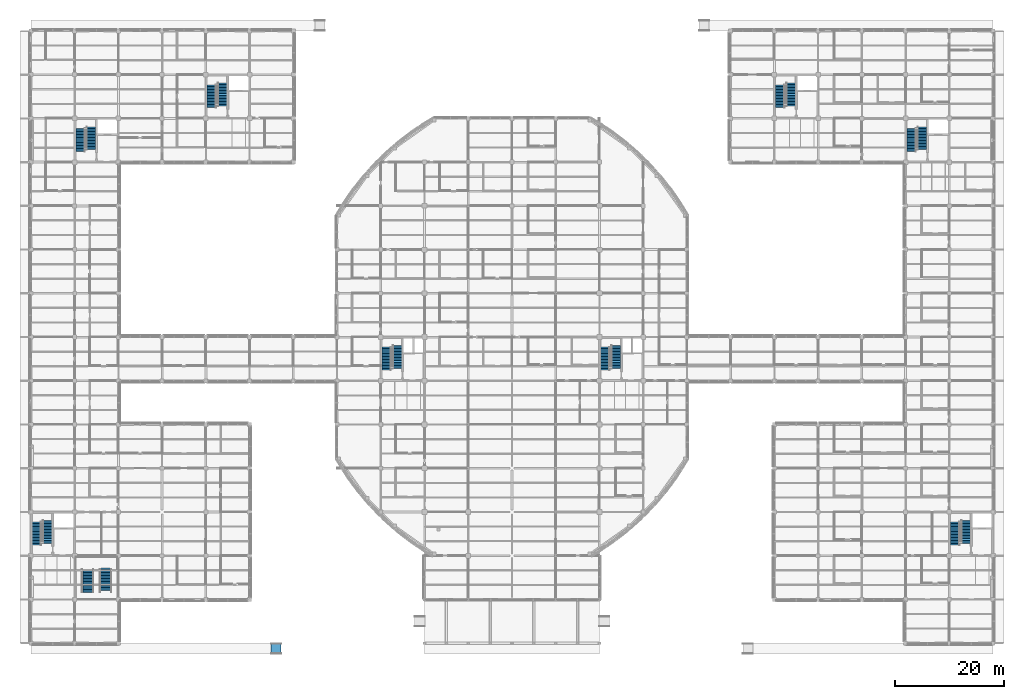
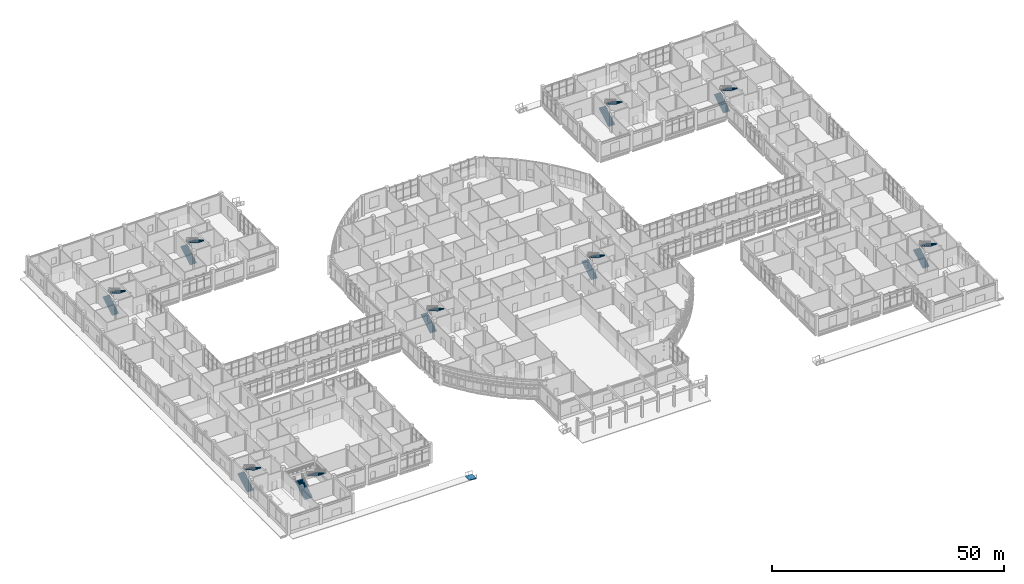
# One storey, part 82 of 105: 18 stair flights, 1 ramp flight, 10 elements without a shape of their own.
"""IFC4 building model written with IfcOpenShell, lengths in metres."""

from ifc_helpers import new_model, si_unit, derived_unit, direction, frame, origin, place, context, subcontext, project, spatial, polyline, outline, extrude, material, layer, layer_set, type_object, element, aggregate, save


model = new_model("IFC4")

# Units and contexts
model_context = context("Model", 3, precision=1e-05, world=origin(), true_north=direction((0.0, 1.0)))
body_context = subcontext(model_context, "Body", "Model", "MODEL_VIEW")
ifc_project = project(units=[si_unit("LENGTHUNIT", "METRE"), si_unit("AREAUNIT", "SQUARE_METRE"), si_unit("VOLUMEUNIT", "CUBIC_METRE"), si_unit("PLANEANGLEUNIT", "RADIAN"), si_unit("MASSUNIT", "GRAM", prefix="KILO"), derived_unit("THERMALTRANSMITTANCEUNIT", [(si_unit("MASSUNIT", "GRAM", prefix="KILO"), 1), (si_unit("TIMEUNIT", "SECOND"), -3), (si_unit("THERMODYNAMICTEMPERATUREUNIT", "KELVIN"), -1)])], contexts=[model_context])

# Site, building, storey
site_placement = place(None, origin())
site = spatial("IfcSite", under=ifc_project, at=site_placement, CompositionType="ELEMENT")
building_placement = place(site_placement, origin())
building = spatial("IfcBuilding", under=site, at=building_placement, Name="Veyamyaing Civic Hall", CompositionType="ELEMENT")
storey_placement = place(building_placement, origin())
storey = spatial("IfcBuildingStorey", under=building, at=storey_placement, Name="L00", CompositionType="ELEMENT", Elevation=0.0)

# Stair, stair flights
ifc_material = material(Name="Concrete C40/50", Category="concrete")
stair_type_1 = type_object("IfcStairType", Name="ST-B", PredefinedType="HALF_TURN_STAIR", material=ifc_material)
stair_1_placement = place(storey_placement, origin())
stair_1 = element("IfcStair", 1, at=stair_1_placement, inside=storey, type_object=stair_type_1, Name="Protected exit stair ST-01 L00", PredefinedType="HALF_TURN_STAIR")
stair_flight_type_1 = type_object("IfcStairFlightType", Name="SF-16", PredefinedType="STRAIGHT", material=ifc_material)
stair_flight_1_placement = place(storey_placement, frame((9.0400390625, 89.949951171875, 0.0), z_axis=(0.0, 0.0, 1.0), x_axis=(0.0, 1.0, 0.0)))
stair_flight_1 = element("IfcStairFlight", 2, at=stair_flight_1_placement, type_object=stair_flight_type_1, Name="ST-01 flight 1", NumberOfRisers=16, NumberOfTreads=15, PredefinedType="STRAIGHT", RiserHeight=0.165, TreadLength=0.28, context=body_context, shape_type="SweptSolid", body=[
    extrude(outline(polyline([(0.0, 0.0), (0.0, 0.1650390625), (0.280029296875, 0.1650390625), (0.280029296875, 0.330078125), (0.56005859375, 0.330078125), (0.56005859375, 0.4951171875), (0.840087890625, 0.4951171875), (0.840087890625, 0.659912109375), (1.1201171875, 0.659912109375), (1.1201171875, 0.824951171875), (1.39990234375, 0.824951171875), (1.39990234375, 0.989990234375), (1.679931640625, 0.989990234375), (1.679931640625, 1.155029296875), (1.9599609375, 1.155029296875), (1.9599609375, 1.320068359375), (2.239990234375, 1.320068359375), (2.239990234375, 1.485107421875), (2.52001953125, 1.485107421875), (2.52001953125, 1.64990234375), (2.800048828125, 1.64990234375), (2.800048828125, 1.81494140625), (3.080078125, 1.81494140625), (3.080078125, 1.97998046875), (3.360107421875, 1.97998046875), (3.360107421875, 2.14501953125), (3.639892578125, 2.14501953125), (3.639892578125, 2.31005859375), (3.919921875, 2.31005859375), (3.919921875, 2.47509765625), (4.199951171875, 2.47509765625), (4.199951171875, 2.639892578125), (4.199951171875, 2.301025390625), (0.295166015625, 0.0), (0.0, 0.0)])), frame((0.0, 0.81982421875, 0.0), z_axis=(0.0, -1.0, 0.0), x_axis=(1.0, 0.0, 0.0)), (0.0, 0.0, 1.0), 1.639892578125),
])
stair_flight_2_placement = place(storey_placement, frame((11.030029296875, 94.469970703125, 2.639892578125), z_axis=(0.0, 0.0, 1.0), x_axis=(0.0, -1.0, 0.0)))
stair_flight_2 = element("IfcStairFlight", 3, at=stair_flight_2_placement, type_object=stair_flight_type_1, Name="ST-01 flight 2", NumberOfRisers=16, NumberOfTreads=15, PredefinedType="STRAIGHT", RiserHeight=0.165, TreadLength=0.28, context=body_context, shape_type="SweptSolid", body=[
    extrude(outline(polyline([(0.0, 0.0), (0.0, 0.1650390625), (0.280029296875, 0.1650390625), (0.280029296875, 0.330078125), (0.56005859375, 0.330078125), (0.56005859375, 0.4951171875), (0.840087890625, 0.4951171875), (0.840087890625, 0.659912109375), (1.1201171875, 0.659912109375), (1.1201171875, 0.824951171875), (1.39990234375, 0.824951171875), (1.39990234375, 0.989990234375), (1.679931640625, 0.989990234375), (1.679931640625, 1.155029296875), (1.9599609375, 1.155029296875), (1.9599609375, 1.320068359375), (2.239990234375, 1.320068359375), (2.239990234375, 1.485107421875), (2.52001953125, 1.485107421875), (2.52001953125, 1.64990234375), (2.800048828125, 1.64990234375), (2.800048828125, 1.81494140625), (3.080078125, 1.81494140625), (3.080078125, 1.97998046875), (3.360107421875, 1.97998046875), (3.360107421875, 2.14501953125), (3.639892578125, 2.14501953125), (3.639892578125, 2.31005859375), (3.919921875, 2.31005859375), (3.919921875, 2.47509765625), (4.199951171875, 2.47509765625), (4.199951171875, 2.639892578125), (4.199951171875, 2.301025390625), (0.295166015625, 0.0), (0.0, 0.0)])), frame((0.0, 0.81982421875, 0.0), z_axis=(0.0, -1.0, 0.0), x_axis=(1.0, 0.0, 0.0)), (0.0, 0.0, 1.0), 1.639892578125),
])
aggregate(stair_1, [stair_flight_1, stair_flight_2])

stair_2_placement = place(storey_placement, origin())
stair_2 = element("IfcStair", 4, at=stair_2_placement, inside=storey, type_object=stair_type_1, Name="Protected exit stair ST-02 L00", PredefinedType="HALF_TURN_STAIR")
stair_flight_3_placement = place(storey_placement, frame((33.0400390625, 97.949951171875, 0.0), z_axis=(0.0, 0.0, 1.0), x_axis=(0.0, 1.0, 0.0)))
stair_flight_3 = element("IfcStairFlight", 5, at=stair_flight_3_placement, type_object=stair_flight_type_1, Name="ST-02 flight 1", NumberOfRisers=16, NumberOfTreads=15, PredefinedType="STRAIGHT", RiserHeight=0.165, TreadLength=0.28, context=body_context, shape_type="SweptSolid", body=[
    extrude(outline(polyline([(0.0, 0.0), (0.0, 0.1650390625), (0.280029296875, 0.1650390625), (0.280029296875, 0.330078125), (0.56005859375, 0.330078125), (0.56005859375, 0.4951171875), (0.840087890625, 0.4951171875), (0.840087890625, 0.659912109375), (1.1201171875, 0.659912109375), (1.1201171875, 0.824951171875), (1.39990234375, 0.824951171875), (1.39990234375, 0.989990234375), (1.679931640625, 0.989990234375), (1.679931640625, 1.155029296875), (1.9599609375, 1.155029296875), (1.9599609375, 1.320068359375), (2.239990234375, 1.320068359375), (2.239990234375, 1.485107421875), (2.52001953125, 1.485107421875), (2.52001953125, 1.64990234375), (2.800048828125, 1.64990234375), (2.800048828125, 1.81494140625), (3.080078125, 1.81494140625), (3.080078125, 1.97998046875), (3.360107421875, 1.97998046875), (3.360107421875, 2.14501953125), (3.639892578125, 2.14501953125), (3.639892578125, 2.31005859375), (3.919921875, 2.31005859375), (3.919921875, 2.47509765625), (4.199951171875, 2.47509765625), (4.199951171875, 2.639892578125), (4.199951171875, 2.301025390625), (0.295166015625, 0.0), (0.0, 0.0)])), frame((0.0, 0.81982421875, 0.0), z_axis=(0.0, -1.0, 0.0), x_axis=(1.0, 0.0, 0.0)), (0.0, 0.0, 1.0), 1.639892578125),
])
stair_flight_4_placement = place(storey_placement, frame((35.030029296875, 102.469970703125, 2.639892578125), z_axis=(0.0, 0.0, 1.0), x_axis=(0.0, -1.0, 0.0)))
stair_flight_4 = element("IfcStairFlight", 6, at=stair_flight_4_placement, type_object=stair_flight_type_1, Name="ST-02 flight 2", NumberOfRisers=16, NumberOfTreads=15, PredefinedType="STRAIGHT", RiserHeight=0.165, TreadLength=0.28, context=body_context, shape_type="SweptSolid", body=[
    extrude(outline(polyline([(0.0, 0.0), (0.0, 0.1650390625), (0.280029296875, 0.1650390625), (0.280029296875, 0.330078125), (0.56005859375, 0.330078125), (0.56005859375, 0.4951171875), (0.840087890625, 0.4951171875), (0.840087890625, 0.659912109375), (1.1201171875, 0.659912109375), (1.1201171875, 0.824951171875), (1.39990234375, 0.824951171875), (1.39990234375, 0.989990234375), (1.679931640625, 0.989990234375), (1.679931640625, 1.155029296875), (1.9599609375, 1.155029296875), (1.9599609375, 1.320068359375), (2.239990234375, 1.320068359375), (2.239990234375, 1.485107421875), (2.52001953125, 1.485107421875), (2.52001953125, 1.64990234375), (2.800048828125, 1.64990234375), (2.800048828125, 1.81494140625), (3.080078125, 1.81494140625), (3.080078125, 1.97998046875), (3.360107421875, 1.97998046875), (3.360107421875, 2.14501953125), (3.639892578125, 2.14501953125), (3.639892578125, 2.31005859375), (3.919921875, 2.31005859375), (3.919921875, 2.47509765625), (4.199951171875, 2.47509765625), (4.199951171875, 2.639892578125), (4.199951171875, 2.301025390625), (0.295166015625, 0.0), (0.0, 0.0)])), frame((0.0, 0.81982421875, 0.0), z_axis=(0.0, -1.0, 0.0), x_axis=(1.0, 0.0, 0.0)), (0.0, 0.0, 1.0), 1.639892578125),
])
aggregate(stair_2, [stair_flight_3, stair_flight_4])

stair_3_placement = place(storey_placement, origin())
stair_3 = element("IfcStair", 7, at=stair_3_placement, inside=storey, type_object=stair_type_1, Name="Protected exit stair ST-03 L00", PredefinedType="HALF_TURN_STAIR")
stair_flight_5_placement = place(storey_placement, frame((161.0400390625, 89.949951171875, 0.0), z_axis=(0.0, 0.0, 1.0), x_axis=(0.0, 1.0, 0.0)))
stair_flight_5 = element("IfcStairFlight", 8, at=stair_flight_5_placement, type_object=stair_flight_type_1, Name="ST-03 flight 1", NumberOfRisers=16, NumberOfTreads=15, PredefinedType="STRAIGHT", RiserHeight=0.165, TreadLength=0.28, context=body_context, shape_type="SweptSolid", body=[
    extrude(outline(polyline([(0.0, 0.0), (0.0, 0.1650390625), (0.280029296875, 0.1650390625), (0.280029296875, 0.330078125), (0.56005859375, 0.330078125), (0.56005859375, 0.4951171875), (0.840087890625, 0.4951171875), (0.840087890625, 0.659912109375), (1.1201171875, 0.659912109375), (1.1201171875, 0.824951171875), (1.39990234375, 0.824951171875), (1.39990234375, 0.989990234375), (1.679931640625, 0.989990234375), (1.679931640625, 1.155029296875), (1.9599609375, 1.155029296875), (1.9599609375, 1.320068359375), (2.239990234375, 1.320068359375), (2.239990234375, 1.485107421875), (2.52001953125, 1.485107421875), (2.52001953125, 1.64990234375), (2.800048828125, 1.64990234375), (2.800048828125, 1.81494140625), (3.080078125, 1.81494140625), (3.080078125, 1.97998046875), (3.360107421875, 1.97998046875), (3.360107421875, 2.14501953125), (3.639892578125, 2.14501953125), (3.639892578125, 2.31005859375), (3.919921875, 2.31005859375), (3.919921875, 2.47509765625), (4.199951171875, 2.47509765625), (4.199951171875, 2.639892578125), (4.199951171875, 2.301025390625), (0.295166015625, 0.0), (0.0, 0.0)])), frame((0.0, 0.81982421875, 0.0), z_axis=(0.0, -1.0, 0.0), x_axis=(1.0, 0.0, 0.0)), (0.0, 0.0, 1.0), 1.639892578125),
])
stair_flight_6_placement = place(storey_placement, frame((163.030029296875, 94.469970703125, 2.639892578125), z_axis=(0.0, 0.0, 1.0), x_axis=(0.0, -1.0, 0.0)))
stair_flight_6 = element("IfcStairFlight", 9, at=stair_flight_6_placement, type_object=stair_flight_type_1, Name="ST-03 flight 2", NumberOfRisers=16, NumberOfTreads=15, PredefinedType="STRAIGHT", RiserHeight=0.165, TreadLength=0.28, context=body_context, shape_type="SweptSolid", body=[
    extrude(outline(polyline([(0.0, 0.0), (0.0, 0.1650390625), (0.280029296875, 0.1650390625), (0.280029296875, 0.330078125), (0.56005859375, 0.330078125), (0.56005859375, 0.4951171875), (0.840087890625, 0.4951171875), (0.840087890625, 0.659912109375), (1.1201171875, 0.659912109375), (1.1201171875, 0.824951171875), (1.39990234375, 0.824951171875), (1.39990234375, 0.989990234375), (1.679931640625, 0.989990234375), (1.679931640625, 1.155029296875), (1.9599609375, 1.155029296875), (1.9599609375, 1.320068359375), (2.239990234375, 1.320068359375), (2.239990234375, 1.485107421875), (2.52001953125, 1.485107421875), (2.52001953125, 1.64990234375), (2.800048828125, 1.64990234375), (2.800048828125, 1.81494140625), (3.080078125, 1.81494140625), (3.080078125, 1.97998046875), (3.360107421875, 1.97998046875), (3.360107421875, 2.14501953125), (3.639892578125, 2.14501953125), (3.639892578125, 2.31005859375), (3.919921875, 2.31005859375), (3.919921875, 2.47509765625), (4.199951171875, 2.47509765625), (4.199951171875, 2.639892578125), (4.199951171875, 2.301025390625), (0.295166015625, 0.0), (0.0, 0.0)])), frame((0.0, 0.81982421875, 0.0), z_axis=(0.0, -1.0, 0.0), x_axis=(1.0, 0.0, 0.0)), (0.0, 0.0, 1.0), 1.639892578125),
])
aggregate(stair_3, [stair_flight_5, stair_flight_6])

stair_4_placement = place(storey_placement, origin())
stair_4 = element("IfcStair", 10, at=stair_4_placement, inside=storey, type_object=stair_type_1, Name="Protected exit stair ST-04 L00", PredefinedType="HALF_TURN_STAIR")
stair_flight_7_placement = place(storey_placement, frame((137.0400390625, 97.949951171875, 0.0), z_axis=(0.0, 0.0, 1.0), x_axis=(0.0, 1.0, 0.0)))
stair_flight_7 = element("IfcStairFlight", 11, at=stair_flight_7_placement, type_object=stair_flight_type_1, Name="ST-04 flight 1", NumberOfRisers=16, NumberOfTreads=15, PredefinedType="STRAIGHT", RiserHeight=0.165, TreadLength=0.28, context=body_context, shape_type="SweptSolid", body=[
    extrude(outline(polyline([(0.0, 0.0), (0.0, 0.1650390625), (0.280029296875, 0.1650390625), (0.280029296875, 0.330078125), (0.56005859375, 0.330078125), (0.56005859375, 0.4951171875), (0.840087890625, 0.4951171875), (0.840087890625, 0.659912109375), (1.1201171875, 0.659912109375), (1.1201171875, 0.824951171875), (1.39990234375, 0.824951171875), (1.39990234375, 0.989990234375), (1.679931640625, 0.989990234375), (1.679931640625, 1.155029296875), (1.9599609375, 1.155029296875), (1.9599609375, 1.320068359375), (2.239990234375, 1.320068359375), (2.239990234375, 1.485107421875), (2.52001953125, 1.485107421875), (2.52001953125, 1.64990234375), (2.800048828125, 1.64990234375), (2.800048828125, 1.81494140625), (3.080078125, 1.81494140625), (3.080078125, 1.97998046875), (3.360107421875, 1.97998046875), (3.360107421875, 2.14501953125), (3.639892578125, 2.14501953125), (3.639892578125, 2.31005859375), (3.919921875, 2.31005859375), (3.919921875, 2.47509765625), (4.199951171875, 2.47509765625), (4.199951171875, 2.639892578125), (4.199951171875, 2.301025390625), (0.295166015625, 0.0), (0.0, 0.0)])), frame((0.0, 0.81982421875, 0.0), z_axis=(0.0, -1.0, 0.0), x_axis=(1.0, 0.0, 0.0)), (0.0, 0.0, 1.0), 1.639892578125),
])
stair_flight_8_placement = place(storey_placement, frame((139.030029296875, 102.469970703125, 2.639892578125), z_axis=(0.0, 0.0, 1.0), x_axis=(0.0, -1.0, 0.0)))
stair_flight_8 = element("IfcStairFlight", 12, at=stair_flight_8_placement, type_object=stair_flight_type_1, Name="ST-04 flight 2", NumberOfRisers=16, NumberOfTreads=15, PredefinedType="STRAIGHT", RiserHeight=0.165, TreadLength=0.28, context=body_context, shape_type="SweptSolid", body=[
    extrude(outline(polyline([(0.0, 0.0), (0.0, 0.1650390625), (0.280029296875, 0.1650390625), (0.280029296875, 0.330078125), (0.56005859375, 0.330078125), (0.56005859375, 0.4951171875), (0.840087890625, 0.4951171875), (0.840087890625, 0.659912109375), (1.1201171875, 0.659912109375), (1.1201171875, 0.824951171875), (1.39990234375, 0.824951171875), (1.39990234375, 0.989990234375), (1.679931640625, 0.989990234375), (1.679931640625, 1.155029296875), (1.9599609375, 1.155029296875), (1.9599609375, 1.320068359375), (2.239990234375, 1.320068359375), (2.239990234375, 1.485107421875), (2.52001953125, 1.485107421875), (2.52001953125, 1.64990234375), (2.800048828125, 1.64990234375), (2.800048828125, 1.81494140625), (3.080078125, 1.81494140625), (3.080078125, 1.97998046875), (3.360107421875, 1.97998046875), (3.360107421875, 2.14501953125), (3.639892578125, 2.14501953125), (3.639892578125, 2.31005859375), (3.919921875, 2.31005859375), (3.919921875, 2.47509765625), (4.199951171875, 2.47509765625), (4.199951171875, 2.639892578125), (4.199951171875, 2.301025390625), (0.295166015625, 0.0), (0.0, 0.0)])), frame((0.0, 0.81982421875, 0.0), z_axis=(0.0, -1.0, 0.0), x_axis=(1.0, 0.0, 0.0)), (0.0, 0.0, 1.0), 1.639892578125),
])
aggregate(stair_4, [stair_flight_7, stair_flight_8])

stair_5_placement = place(storey_placement, origin())
stair_5 = element("IfcStair", 13, at=stair_5_placement, inside=storey, type_object=stair_type_1, Name="Protected exit stair ST-05 L00", PredefinedType="HALF_TURN_STAIR")
stair_flight_9_placement = place(storey_placement, frame((65.0400390625, 49.949951171875, 0.0), z_axis=(0.0, 0.0, 1.0), x_axis=(0.0, 1.0, 0.0)))
stair_flight_9 = element("IfcStairFlight", 14, at=stair_flight_9_placement, type_object=stair_flight_type_1, Name="ST-05 flight 1", NumberOfRisers=16, NumberOfTreads=15, PredefinedType="STRAIGHT", RiserHeight=0.165, TreadLength=0.28, context=body_context, shape_type="SweptSolid", body=[
    extrude(outline(polyline([(0.0, 0.0), (0.0, 0.1650390625), (0.280029296875, 0.1650390625), (0.280029296875, 0.330078125), (0.56005859375, 0.330078125), (0.56005859375, 0.4951171875), (0.840087890625, 0.4951171875), (0.840087890625, 0.659912109375), (1.1201171875, 0.659912109375), (1.1201171875, 0.824951171875), (1.39990234375, 0.824951171875), (1.39990234375, 0.989990234375), (1.679931640625, 0.989990234375), (1.679931640625, 1.155029296875), (1.9599609375, 1.155029296875), (1.9599609375, 1.320068359375), (2.239990234375, 1.320068359375), (2.239990234375, 1.485107421875), (2.52001953125, 1.485107421875), (2.52001953125, 1.64990234375), (2.800048828125, 1.64990234375), (2.800048828125, 1.81494140625), (3.080078125, 1.81494140625), (3.080078125, 1.97998046875), (3.360107421875, 1.97998046875), (3.360107421875, 2.14501953125), (3.639892578125, 2.14501953125), (3.639892578125, 2.31005859375), (3.919921875, 2.31005859375), (3.919921875, 2.47509765625), (4.199951171875, 2.47509765625), (4.199951171875, 2.639892578125), (4.199951171875, 2.301025390625), (0.295166015625, 0.0), (0.0, 0.0)])), frame((0.0, 0.81982421875, 0.0), z_axis=(0.0, -1.0, 0.0), x_axis=(1.0, 0.0, 0.0)), (0.0, 0.0, 1.0), 1.639892578125),
])
stair_flight_10_placement = place(storey_placement, frame((67.030029296875, 54.469970703125, 2.639892578125), z_axis=(0.0, 0.0, 1.0), x_axis=(0.0, -1.0, 0.0)))
stair_flight_10 = element("IfcStairFlight", 15, at=stair_flight_10_placement, type_object=stair_flight_type_1, Name="ST-05 flight 2", NumberOfRisers=16, NumberOfTreads=15, PredefinedType="STRAIGHT", RiserHeight=0.165, TreadLength=0.28, context=body_context, shape_type="SweptSolid", body=[
    extrude(outline(polyline([(0.0, 0.0), (0.0, 0.1650390625), (0.280029296875, 0.1650390625), (0.280029296875, 0.330078125), (0.56005859375, 0.330078125), (0.56005859375, 0.4951171875), (0.840087890625, 0.4951171875), (0.840087890625, 0.659912109375), (1.1201171875, 0.659912109375), (1.1201171875, 0.824951171875), (1.39990234375, 0.824951171875), (1.39990234375, 0.989990234375), (1.679931640625, 0.989990234375), (1.679931640625, 1.155029296875), (1.9599609375, 1.155029296875), (1.9599609375, 1.320068359375), (2.239990234375, 1.320068359375), (2.239990234375, 1.485107421875), (2.52001953125, 1.485107421875), (2.52001953125, 1.64990234375), (2.800048828125, 1.64990234375), (2.800048828125, 1.81494140625), (3.080078125, 1.81494140625), (3.080078125, 1.97998046875), (3.360107421875, 1.97998046875), (3.360107421875, 2.14501953125), (3.639892578125, 2.14501953125), (3.639892578125, 2.31005859375), (3.919921875, 2.31005859375), (3.919921875, 2.47509765625), (4.199951171875, 2.47509765625), (4.199951171875, 2.639892578125), (4.199951171875, 2.301025390625), (0.295166015625, 0.0), (0.0, 0.0)])), frame((0.0, 0.81982421875, 0.0), z_axis=(0.0, -1.0, 0.0), x_axis=(1.0, 0.0, 0.0)), (0.0, 0.0, 1.0), 1.639892578125),
])
aggregate(stair_5, [stair_flight_9, stair_flight_10])

stair_6_placement = place(storey_placement, origin())
stair_6 = element("IfcStair", 16, at=stair_6_placement, inside=storey, type_object=stair_type_1, Name="Protected exit stair ST-06 L00", PredefinedType="HALF_TURN_STAIR")
stair_flight_11_placement = place(storey_placement, frame((105.0400390625, 49.949951171875, 0.0), z_axis=(0.0, 0.0, 1.0), x_axis=(0.0, 1.0, 0.0)))
stair_flight_11 = element("IfcStairFlight", 17, at=stair_flight_11_placement, type_object=stair_flight_type_1, Name="ST-06 flight 1", NumberOfRisers=16, NumberOfTreads=15, PredefinedType="STRAIGHT", RiserHeight=0.165, TreadLength=0.28, context=body_context, shape_type="SweptSolid", body=[
    extrude(outline(polyline([(0.0, 0.0), (0.0, 0.1650390625), (0.280029296875, 0.1650390625), (0.280029296875, 0.330078125), (0.56005859375, 0.330078125), (0.56005859375, 0.4951171875), (0.840087890625, 0.4951171875), (0.840087890625, 0.659912109375), (1.1201171875, 0.659912109375), (1.1201171875, 0.824951171875), (1.39990234375, 0.824951171875), (1.39990234375, 0.989990234375), (1.679931640625, 0.989990234375), (1.679931640625, 1.155029296875), (1.9599609375, 1.155029296875), (1.9599609375, 1.320068359375), (2.239990234375, 1.320068359375), (2.239990234375, 1.485107421875), (2.52001953125, 1.485107421875), (2.52001953125, 1.64990234375), (2.800048828125, 1.64990234375), (2.800048828125, 1.81494140625), (3.080078125, 1.81494140625), (3.080078125, 1.97998046875), (3.360107421875, 1.97998046875), (3.360107421875, 2.14501953125), (3.639892578125, 2.14501953125), (3.639892578125, 2.31005859375), (3.919921875, 2.31005859375), (3.919921875, 2.47509765625), (4.199951171875, 2.47509765625), (4.199951171875, 2.639892578125), (4.199951171875, 2.301025390625), (0.295166015625, 0.0), (0.0, 0.0)])), frame((0.0, 0.81982421875, 0.0), z_axis=(0.0, -1.0, 0.0), x_axis=(1.0, 0.0, 0.0)), (0.0, 0.0, 1.0), 1.639892578125),
])
stair_flight_12_placement = place(storey_placement, frame((107.030029296875, 54.469970703125, 2.639892578125), z_axis=(0.0, 0.0, 1.0), x_axis=(0.0, -1.0, 0.0)))
stair_flight_12 = element("IfcStairFlight", 18, at=stair_flight_12_placement, type_object=stair_flight_type_1, Name="ST-06 flight 2", NumberOfRisers=16, NumberOfTreads=15, PredefinedType="STRAIGHT", RiserHeight=0.165, TreadLength=0.28, context=body_context, shape_type="SweptSolid", body=[
    extrude(outline(polyline([(0.0, 0.0), (0.0, 0.1650390625), (0.280029296875, 0.1650390625), (0.280029296875, 0.330078125), (0.56005859375, 0.330078125), (0.56005859375, 0.4951171875), (0.840087890625, 0.4951171875), (0.840087890625, 0.659912109375), (1.1201171875, 0.659912109375), (1.1201171875, 0.824951171875), (1.39990234375, 0.824951171875), (1.39990234375, 0.989990234375), (1.679931640625, 0.989990234375), (1.679931640625, 1.155029296875), (1.9599609375, 1.155029296875), (1.9599609375, 1.320068359375), (2.239990234375, 1.320068359375), (2.239990234375, 1.485107421875), (2.52001953125, 1.485107421875), (2.52001953125, 1.64990234375), (2.800048828125, 1.64990234375), (2.800048828125, 1.81494140625), (3.080078125, 1.81494140625), (3.080078125, 1.97998046875), (3.360107421875, 1.97998046875), (3.360107421875, 2.14501953125), (3.639892578125, 2.14501953125), (3.639892578125, 2.31005859375), (3.919921875, 2.31005859375), (3.919921875, 2.47509765625), (4.199951171875, 2.47509765625), (4.199951171875, 2.639892578125), (4.199951171875, 2.301025390625), (0.295166015625, 0.0), (0.0, 0.0)])), frame((0.0, 0.81982421875, 0.0), z_axis=(0.0, -1.0, 0.0), x_axis=(1.0, 0.0, 0.0)), (0.0, 0.0, 1.0), 1.639892578125),
])
aggregate(stair_6, [stair_flight_11, stair_flight_12])

stair_7_placement = place(storey_placement, origin())
stair_7 = element("IfcStair", 19, at=stair_7_placement, inside=storey, type_object=stair_type_1, Name="Protected exit stair ST-09 L00", PredefinedType="HALF_TURN_STAIR")
stair_flight_13_placement = place(storey_placement, frame((1.0400390625, 17.949951171875, 0.0), z_axis=(0.0, 0.0, 1.0), x_axis=(0.0, 1.0, 0.0)))
stair_flight_13 = element("IfcStairFlight", 20, at=stair_flight_13_placement, type_object=stair_flight_type_1, Name="ST-09 flight 1", NumberOfRisers=16, NumberOfTreads=15, PredefinedType="STRAIGHT", RiserHeight=0.165, TreadLength=0.28, context=body_context, shape_type="SweptSolid", body=[
    extrude(outline(polyline([(0.0, 0.0), (0.0, 0.1650390625), (0.280029296875, 0.1650390625), (0.280029296875, 0.330078125), (0.56005859375, 0.330078125), (0.56005859375, 0.4951171875), (0.840087890625, 0.4951171875), (0.840087890625, 0.659912109375), (1.1201171875, 0.659912109375), (1.1201171875, 0.824951171875), (1.39990234375, 0.824951171875), (1.39990234375, 0.989990234375), (1.679931640625, 0.989990234375), (1.679931640625, 1.155029296875), (1.9599609375, 1.155029296875), (1.9599609375, 1.320068359375), (2.239990234375, 1.320068359375), (2.239990234375, 1.485107421875), (2.52001953125, 1.485107421875), (2.52001953125, 1.64990234375), (2.800048828125, 1.64990234375), (2.800048828125, 1.81494140625), (3.080078125, 1.81494140625), (3.080078125, 1.97998046875), (3.360107421875, 1.97998046875), (3.360107421875, 2.14501953125), (3.639892578125, 2.14501953125), (3.639892578125, 2.31005859375), (3.919921875, 2.31005859375), (3.919921875, 2.47509765625), (4.199951171875, 2.47509765625), (4.199951171875, 2.639892578125), (4.199951171875, 2.301025390625), (0.295166015625, 0.0), (0.0, 0.0)])), frame((0.0, 0.81982421875, 0.0), z_axis=(0.0, -1.0, 0.0), x_axis=(1.0, 0.0, 0.0)), (0.0, 0.0, 1.0), 1.639892578125),
])
stair_flight_14_placement = place(storey_placement, frame((3.030029296875, 22.469970703125, 2.639892578125), z_axis=(0.0, 0.0, 1.0), x_axis=(0.0, -1.0, 0.0)))
stair_flight_14 = element("IfcStairFlight", 21, at=stair_flight_14_placement, type_object=stair_flight_type_1, Name="ST-09 flight 2", NumberOfRisers=16, NumberOfTreads=15, PredefinedType="STRAIGHT", RiserHeight=0.165, TreadLength=0.28, context=body_context, shape_type="SweptSolid", body=[
    extrude(outline(polyline([(0.0, 0.0), (0.0, 0.1650390625), (0.280029296875, 0.1650390625), (0.280029296875, 0.330078125), (0.56005859375, 0.330078125), (0.56005859375, 0.4951171875), (0.840087890625, 0.4951171875), (0.840087890625, 0.659912109375), (1.1201171875, 0.659912109375), (1.1201171875, 0.824951171875), (1.39990234375, 0.824951171875), (1.39990234375, 0.989990234375), (1.679931640625, 0.989990234375), (1.679931640625, 1.155029296875), (1.9599609375, 1.155029296875), (1.9599609375, 1.320068359375), (2.239990234375, 1.320068359375), (2.239990234375, 1.485107421875), (2.52001953125, 1.485107421875), (2.52001953125, 1.64990234375), (2.800048828125, 1.64990234375), (2.800048828125, 1.81494140625), (3.080078125, 1.81494140625), (3.080078125, 1.97998046875), (3.360107421875, 1.97998046875), (3.360107421875, 2.14501953125), (3.639892578125, 2.14501953125), (3.639892578125, 2.31005859375), (3.919921875, 2.31005859375), (3.919921875, 2.47509765625), (4.199951171875, 2.47509765625), (4.199951171875, 2.639892578125), (4.199951171875, 2.301025390625), (0.295166015625, 0.0), (0.0, 0.0)])), frame((0.0, 0.81982421875, 0.0), z_axis=(0.0, -1.0, 0.0), x_axis=(1.0, 0.0, 0.0)), (0.0, 0.0, 1.0), 1.639892578125),
])
aggregate(stair_7, [stair_flight_13, stair_flight_14])

stair_8_placement = place(storey_placement, origin())
stair_8 = element("IfcStair", 22, at=stair_8_placement, inside=storey, type_object=stair_type_1, Name="Protected exit stair ST-10 L00", PredefinedType="HALF_TURN_STAIR")
stair_flight_15_placement = place(storey_placement, frame((169.0400390625, 17.949951171875, 0.0), z_axis=(0.0, 0.0, 1.0), x_axis=(0.0, 1.0, 0.0)))
stair_flight_15 = element("IfcStairFlight", 23, at=stair_flight_15_placement, type_object=stair_flight_type_1, Name="ST-10 flight 1", NumberOfRisers=16, NumberOfTreads=15, PredefinedType="STRAIGHT", RiserHeight=0.165, TreadLength=0.28, context=body_context, shape_type="SweptSolid", body=[
    extrude(outline(polyline([(0.0, 0.0), (0.0, 0.1650390625), (0.280029296875, 0.1650390625), (0.280029296875, 0.330078125), (0.56005859375, 0.330078125), (0.56005859375, 0.4951171875), (0.840087890625, 0.4951171875), (0.840087890625, 0.659912109375), (1.1201171875, 0.659912109375), (1.1201171875, 0.824951171875), (1.39990234375, 0.824951171875), (1.39990234375, 0.989990234375), (1.679931640625, 0.989990234375), (1.679931640625, 1.155029296875), (1.9599609375, 1.155029296875), (1.9599609375, 1.320068359375), (2.239990234375, 1.320068359375), (2.239990234375, 1.485107421875), (2.52001953125, 1.485107421875), (2.52001953125, 1.64990234375), (2.800048828125, 1.64990234375), (2.800048828125, 1.81494140625), (3.080078125, 1.81494140625), (3.080078125, 1.97998046875), (3.360107421875, 1.97998046875), (3.360107421875, 2.14501953125), (3.639892578125, 2.14501953125), (3.639892578125, 2.31005859375), (3.919921875, 2.31005859375), (3.919921875, 2.47509765625), (4.199951171875, 2.47509765625), (4.199951171875, 2.639892578125), (4.199951171875, 2.301025390625), (0.295166015625, 0.0), (0.0, 0.0)])), frame((0.0, 0.81982421875, 0.0), z_axis=(0.0, -1.0, 0.0), x_axis=(1.0, 0.0, 0.0)), (0.0, 0.0, 1.0), 1.639892578125),
])
stair_flight_16_placement = place(storey_placement, frame((171.030029296875, 22.469970703125, 2.639892578125), z_axis=(0.0, 0.0, 1.0), x_axis=(0.0, -1.0, 0.0)))
stair_flight_16 = element("IfcStairFlight", 24, at=stair_flight_16_placement, type_object=stair_flight_type_1, Name="ST-10 flight 2", NumberOfRisers=16, NumberOfTreads=15, PredefinedType="STRAIGHT", RiserHeight=0.165, TreadLength=0.28, context=body_context, shape_type="SweptSolid", body=[
    extrude(outline(polyline([(0.0, 0.0), (0.0, 0.1650390625), (0.280029296875, 0.1650390625), (0.280029296875, 0.330078125), (0.56005859375, 0.330078125), (0.56005859375, 0.4951171875), (0.840087890625, 0.4951171875), (0.840087890625, 0.659912109375), (1.1201171875, 0.659912109375), (1.1201171875, 0.824951171875), (1.39990234375, 0.824951171875), (1.39990234375, 0.989990234375), (1.679931640625, 0.989990234375), (1.679931640625, 1.155029296875), (1.9599609375, 1.155029296875), (1.9599609375, 1.320068359375), (2.239990234375, 1.320068359375), (2.239990234375, 1.485107421875), (2.52001953125, 1.485107421875), (2.52001953125, 1.64990234375), (2.800048828125, 1.64990234375), (2.800048828125, 1.81494140625), (3.080078125, 1.81494140625), (3.080078125, 1.97998046875), (3.360107421875, 1.97998046875), (3.360107421875, 2.14501953125), (3.639892578125, 2.14501953125), (3.639892578125, 2.31005859375), (3.919921875, 2.31005859375), (3.919921875, 2.47509765625), (4.199951171875, 2.47509765625), (4.199951171875, 2.639892578125), (4.199951171875, 2.301025390625), (0.295166015625, 0.0), (0.0, 0.0)])), frame((0.0, 0.81982421875, 0.0), z_axis=(0.0, -1.0, 0.0), x_axis=(1.0, 0.0, 0.0)), (0.0, 0.0, 1.0), 1.639892578125),
])
aggregate(stair_8, [stair_flight_15, stair_flight_16])

stair_type_2 = type_object("IfcStairType", Name="ST-E", PredefinedType="HALF_TURN_STAIR", material=ifc_material)
stair_9_placement = place(storey_placement, origin())
stair_9 = element("IfcStair", 25, at=stair_9_placement, inside=storey, type_object=stair_type_2, Name="Public Hall Ceremonial Stair ST-07", PredefinedType="HALF_TURN_STAIR")
stair_flight_type_2 = type_object("IfcStairFlightType", Name="SF-16W", PredefinedType="STRAIGHT", material=ifc_material)
stair_flight_17_placement = place(storey_placement, frame((10.5, 9.300048828125, 0.0), z_axis=(0.0, 0.0, 1.0), x_axis=(0.0, 1.0, 0.0)))
stair_flight_17 = element("IfcStairFlight", 26, at=stair_flight_17_placement, type_object=stair_flight_type_2, Name="ST-07 flight 1", NumberOfRisers=16, NumberOfTreads=15, PredefinedType="STRAIGHT", RiserHeight=0.165, TreadLength=0.28, context=body_context, shape_type="SweptSolid", body=[
    extrude(outline(polyline([(0.0, 0.0), (0.0, 0.1650390625), (0.280029296875, 0.1650390625), (0.280029296875, 0.330078125), (0.56005859375, 0.330078125), (0.56005859375, 0.4951171875), (0.840087890625, 0.4951171875), (0.840087890625, 0.659912109375), (1.1201171875, 0.659912109375), (1.1201171875, 0.824951171875), (1.39990234375, 0.824951171875), (1.39990234375, 0.989990234375), (1.679931640625, 0.989990234375), (1.679931640625, 1.155029296875), (1.9599609375, 1.155029296875), (1.9599609375, 1.320068359375), (2.239990234375, 1.320068359375), (2.239990234375, 1.485107421875), (2.52001953125, 1.485107421875), (2.52001953125, 1.64990234375), (2.800048828125, 1.64990234375), (2.800048828125, 1.81494140625), (3.080078125, 1.81494140625), (3.080078125, 1.97998046875), (3.360107421875, 1.97998046875), (3.360107421875, 2.14501953125), (3.639892578125, 2.14501953125), (3.639892578125, 2.31005859375), (3.919921875, 2.31005859375), (3.919921875, 2.47509765625), (4.199951171875, 2.47509765625), (4.199951171875, 2.639892578125), (4.199951171875, 2.301025390625), (0.295166015625, 0.0), (0.0, 0.0)])), frame((0.0, 1.0, 0.0), z_axis=(0.0, -1.0, 0.0), x_axis=(1.0, 0.0, 0.0)), (0.0, 0.0, 1.0), 2.0),
])
stair_flight_18_placement = place(storey_placement, frame((13.75, 13.800048828125, 2.639892578125), z_axis=(0.0, 0.0, 1.0), x_axis=(0.0, -1.0, 0.0)))
stair_flight_18 = element("IfcStairFlight", 27, at=stair_flight_18_placement, type_object=stair_flight_type_2, Name="ST-07 flight 2", NumberOfRisers=16, NumberOfTreads=15, PredefinedType="STRAIGHT", RiserHeight=0.165, TreadLength=0.28, context=body_context, shape_type="SweptSolid", body=[
    extrude(outline(polyline([(0.0, 0.0), (0.0, 0.1650390625), (0.280029296875, 0.1650390625), (0.280029296875, 0.330078125), (0.56005859375, 0.330078125), (0.56005859375, 0.4951171875), (0.840087890625, 0.4951171875), (0.840087890625, 0.659912109375), (1.1201171875, 0.659912109375), (1.1201171875, 0.824951171875), (1.39990234375, 0.824951171875), (1.39990234375, 0.989990234375), (1.679931640625, 0.989990234375), (1.679931640625, 1.155029296875), (1.9599609375, 1.155029296875), (1.9599609375, 1.320068359375), (2.239990234375, 1.320068359375), (2.239990234375, 1.485107421875), (2.52001953125, 1.485107421875), (2.52001953125, 1.64990234375), (2.800048828125, 1.64990234375), (2.800048828125, 1.81494140625), (3.080078125, 1.81494140625), (3.080078125, 1.97998046875), (3.360107421875, 1.97998046875), (3.360107421875, 2.14501953125), (3.639892578125, 2.14501953125), (3.639892578125, 2.31005859375), (3.919921875, 2.31005859375), (3.919921875, 2.47509765625), (4.199951171875, 2.47509765625), (4.199951171875, 2.639892578125), (4.199951171875, 2.301025390625), (0.295166015625, 0.0), (0.0, 0.0)])), frame((0.0, 1.0, 0.0), z_axis=(0.0, -1.0, 0.0), x_axis=(1.0, 0.0, 0.0)), (0.0, 0.0, 1.0), 2.0),
])
aggregate(stair_9, [stair_flight_17, stair_flight_18])

# Ramp, ramp flight
ramp_type = type_object("IfcRampType", Name="RMP-01", PredefinedType="STRAIGHT_RUN_RAMP", material=ifc_material)
ramp_placement = place(storey_placement, origin())
ramp = element("IfcRamp", 28, at=ramp_placement, inside=storey, type_object=ramp_type, Name="Accessible pedestrian entry ramp R-01", PredefinedType="STRAIGHT_RUN_RAMP")
ifc_layer = layer(ifc_material, 0.179931640625, Name="Concrete C40/50")
ifc_layer_set = layer_set([ifc_layer], Name="Concrete C40/50")
ramp_flight_type = type_object("IfcRampFlightType", Name="RMF-01", PredefinedType="STRAIGHT", material=ifc_layer_set)
ramp_flight_placement = place(storey_placement, frame((45.75, -1.89990234375, -0.14990234375), z_axis=(0.082989550564, 0.0, 0.996550417439), x_axis=(-0.996550417439, 0.0, 0.082989550564)))
ramp_flight = element("IfcRampFlight", 29, at=ramp_flight_placement, type_object=ramp_flight_type, Name="Accessible ramp flight R-01.1", PredefinedType="STRAIGHT", context=body_context, shape_type="SweptSolid", body=[
    extrude(outline(polyline([(0.0, 0.0), (1.8062797392142584, 0.0), (1.8062797392142584, -1.7998046875000004), (0.0, -1.7998046875000004), (0.0, 0.0)])), origin(), (0.0, 0.0, -1.0), 0.179931640625),
])
aggregate(ramp, [ramp_flight])

save(model, "model.ifc")
